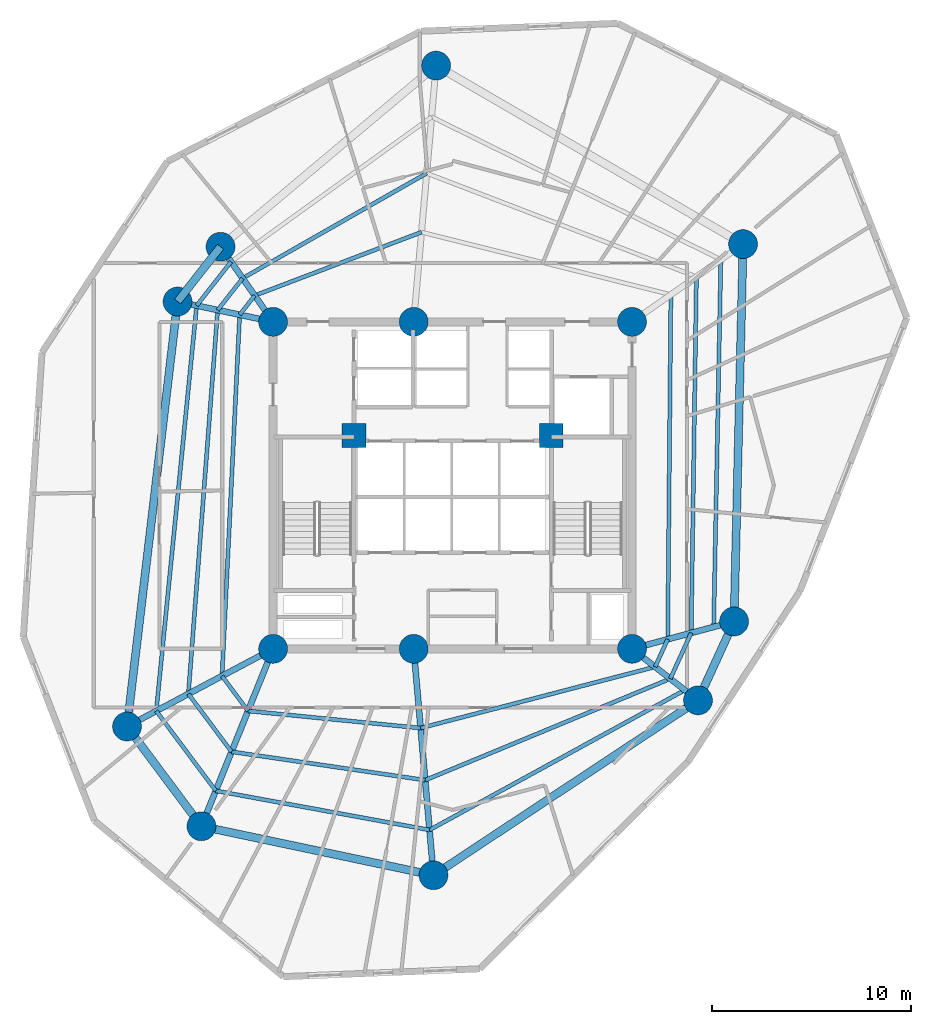
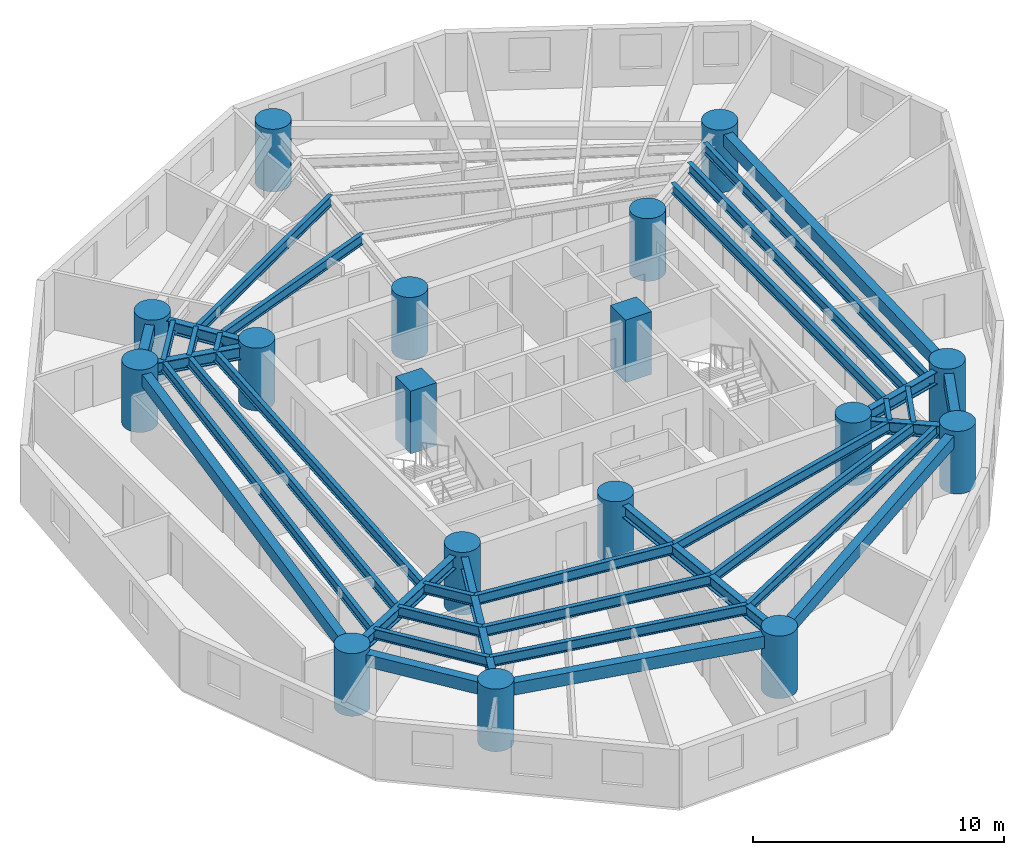
# One storey, part 1 of 8: 36 beams, 17 columns.
"""IFC4 building model written with IfcOpenShell, lengths in metres."""

import ifcopenshell
import ifcopenshell.guid

model = None  # the IFC model being written
_history = None  # IfcOwnerHistory: only IFC2X3 demands one
_inside = {}  # id of a spatial element -> (the spatial element, [elements in it])
_under = {}  # id of a project, library or spatial element -> (it, [spatial elements below it])
_declared = {}  # id of a project -> (the project, [libraries it declares])
_typed = {}  # id of a type object -> (the type object, [elements of that type])
_made_of = {}  # id of a material, layer set ... -> (it, [elements and type objects made of it])


def new_model(schema):
    """Start an empty IFC model of exactly this schema.

    Asked for "IFC4X3", IfcOpenShell would pick the latest addendum, in which some entities
    have other attributes; the version numbers below select the first issue.
    IFC2X3 requires an IfcOwnerHistory on every rooted entity: one is made here for all.
    """
    global model, _history
    if schema == "IFC4X3":
        model = ifcopenshell.file(schema_version=(4, 3, 0, 0))
    else:
        model = ifcopenshell.file(schema=schema)
    _inside.clear()
    _under.clear()
    _declared.clear()
    _typed.clear()
    _made_of.clear()
    _history = None
    if model.schema == "IFC2X3":
        org = make("IfcOrganization", Name="unknown")
        user = make(
            "IfcPersonAndOrganization",
            ThePerson=make("IfcPerson", FamilyName="unknown"),
            TheOrganization=org,
        )
        app = make(
            "IfcApplication",
            ApplicationDeveloper=org,
            Version="unknown",
            ApplicationFullName="unknown",
            ApplicationIdentifier="unknown",
        )
        _history = make(
            "IfcOwnerHistory",
            OwningUser=user,
            OwningApplication=app,
            ChangeAction="ADDED",
            CreationDate=0,
        )
    return model


def make(cls, **values):
    """One entity of the class cls with the attributes given. An attribute that is None is left unset."""
    return model.create_entity(
        cls, **{name: value for name, value in values.items() if value is not None}
    )


def rooted(cls, **values):
    """An entity with a GlobalId (a new one), such as an element, a storey or a relation."""
    return make(cls, GlobalId=ifcopenshell.guid.new(), OwnerHistory=_history, **values)


def si_unit(unit_type, name, prefix=None):
    """IfcSIUnit, for example si_unit("LENGTHUNIT", "METRE", prefix="MILLI")."""
    return make("IfcSIUnit", UnitType=unit_type, Prefix=prefix, Name=name)


def assignment(units):
    """IfcUnitAssignment: the units of a project."""
    return None if units is None else make("IfcUnitAssignment", Units=units)


def point(xyz):
    """IfcCartesianPoint."""
    return None if xyz is None else make("IfcCartesianPoint", Coordinates=xyz)


def direction(xyz):
    """IfcDirection."""
    return None if xyz is None else make("IfcDirection", DirectionRatios=xyz)


def frame(location, z_axis=None, x_axis=None):
    """IfcAxis2Placement3D, a coordinate frame: its origin and axes. An axis left out is left unset."""
    return make(
        "IfcAxis2Placement3D",
        Location=point(location),
        Axis=direction(z_axis),
        RefDirection=direction(x_axis),
    )


def frame_2d(location, x_axis=None):
    """IfcAxis2Placement2D, a coordinate frame in the plane: its origin and x axis."""
    return make(
        "IfcAxis2Placement2D", Location=point(location), RefDirection=direction(x_axis)
    )


def origin():
    """The frame at (0, 0, 0) with its axes left unset."""
    return frame((0.0, 0.0, 0.0))


def origin_with_axes():
    """The frame at (0, 0, 0) with the z axis (0, 0, 1) and the x axis (1, 0, 0) written out."""
    return frame((0.0, 0.0, 0.0), z_axis=(0.0, 0.0, 1.0), x_axis=(1.0, 0.0, 0.0))


def origin_2d():
    """The frame at (0, 0) in the plane with its x axis left unset."""
    return frame_2d((0.0, 0.0))


def place(relative_to, where):
    """IfcLocalPlacement: puts the frame where relative to a parent placement (None: the world)."""
    return make(
        "IfcLocalPlacement", PlacementRelTo=relative_to, RelativePlacement=where
    )


def context(
    kind, dimensions, precision=None, world=None, true_north=None, identifier=None
):
    """IfcGeometricRepresentationContext, for example the 3D "Model" context."""
    return make(
        "IfcGeometricRepresentationContext",
        ContextIdentifier=identifier,
        ContextType=kind,
        CoordinateSpaceDimension=dimensions,
        Precision=precision,
        WorldCoordinateSystem=world,
        TrueNorth=true_north,
    )


def subcontext(parent, identifier, kind, view, scale=None):
    """IfcGeometricRepresentationSubContext, for example "Body" below "Model"."""
    return make(
        "IfcGeometricRepresentationSubContext",
        ContextIdentifier=identifier,
        ContextType=kind,
        ParentContext=parent,
        TargetScale=scale,
        TargetView=view,
    )


def project(units=None, contexts=None):
    """IfcProject with its units and contexts."""
    return rooted(
        "IfcProject",
        Name="project",
        RepresentationContexts=contexts,
        UnitsInContext=assignment(units),
    )


def spatial(cls, under=None, at=None, **own):
    """A site, building, storey or space (cls), placed at a placement, below another one or the project."""
    s = rooted(cls, ObjectPlacement=at, **own)
    if under is not None:
        _under.setdefault(under.id(), (under, []))[1].append(s)
    return s


def profile(cls, at=None, kind="AREA", **sizes):
    """A parametric profile (cls). Its sizes go by their IFC names, for example OverallWidth=200.0."""
    return make(cls, ProfileType=kind, Position=at, **sizes)


def rectangle(**sizes):
    """IfcRectangleProfileDef."""
    return profile("IfcRectangleProfileDef", **sizes)


def circle(**sizes):
    """IfcCircleProfileDef."""
    return profile("IfcCircleProfileDef", **sizes)


def i_section(**sizes):
    """IfcIShapeProfileDef."""
    return profile("IfcIShapeProfileDef", **sizes)


def extrude(swept, where, along, depth):
    """IfcExtrudedAreaSolid: the profile swept, set in the frame where, extruded along a direction by depth."""
    return make(
        "IfcExtrudedAreaSolid",
        SweptArea=swept,
        Position=where,
        ExtrudedDirection=direction(along),
        Depth=depth,
    )


def shape(context_of_items, identifier, shape_type, items):
    """IfcShapeRepresentation: the items that make up one representation, for example the "Body"."""
    return make(
        "IfcShapeRepresentation",
        ContextOfItems=context_of_items,
        RepresentationIdentifier=identifier,
        RepresentationType=shape_type,
        Items=items,
    )


def source(mapping_origin, context_of_items, identifier, shape_type, items):
    """IfcRepresentationMap: a shape defined once, which mapped items show again and again."""
    return make(
        "IfcRepresentationMap",
        MappingOrigin=mapping_origin,
        MappedRepresentation=shape(context_of_items, identifier, shape_type, items),
    )


def transform(
    local_origin,
    x_axis=None,
    y_axis=None,
    z_axis=None,
    scale=None,
    scale2=None,
    scale3=None,
    uniform=True,
):
    """IfcCartesianTransformationOperator3D, or its non-uniform kind. x_axis, y_axis, z_axis: its Axis1, 2, 3."""
    if uniform:
        return make(
            "IfcCartesianTransformationOperator3D",
            Axis1=direction(x_axis),
            Axis2=direction(y_axis),
            LocalOrigin=point(local_origin),
            Scale=scale,
            Axis3=direction(z_axis),
        )
    return make(
        "IfcCartesianTransformationOperator3DnonUniform",
        Axis1=direction(x_axis),
        Axis2=direction(y_axis),
        LocalOrigin=point(local_origin),
        Scale=scale,
        Axis3=direction(z_axis),
        Scale2=scale2,
        Scale3=scale3,
    )


def mapped(mapping_source, mapping_target):
    """IfcMappedItem: shows the shape of a source again, moved by a transform."""
    return make(
        "IfcMappedItem", MappingSource=mapping_source, MappingTarget=mapping_target
    )


def material(Name=None, Category=None):
    """IfcMaterial."""
    return make("IfcMaterial", Name=Name, Category=Category)


def material_profile(
    of_material, cross_section, Name=None, Category=None, Priority=None
):
    """IfcMaterialProfile: a cross section and its material."""
    return make(
        "IfcMaterialProfile",
        Name=Name,
        Material=of_material,
        Profile=cross_section,
        Priority=Priority,
        Category=Category,
    )


def profile_set(profiles, Name=None, composite=None):
    """IfcMaterialProfileSet."""
    return make(
        "IfcMaterialProfileSet",
        Name=Name,
        MaterialProfiles=profiles,
        CompositeProfile=composite,
    )


def made_of(thing, what):
    """Note that an element or type object is made of a material, layer set ...; save() writes the relation."""
    if what is not None:
        _made_of.setdefault(what.id(), (what, []))[1].append(thing)
    return thing


def type_object(cls, material=None, **own):
    """A type object (cls), such as IfcWallType, which elements share."""
    return made_of(rooted(cls, **own), material)


def element(
    cls,
    number,
    at=None,
    inside=None,
    cuts=None,
    type_object=None,
    material=None,
    context=None,
    identifier="Body",
    shape_type=None,
    held_by="IfcProductDefinitionShape",
    body=None,
    shapes=None,
    **own,
):
    """One element of the class cls, such as IfcWall. Its Tag is "e" and its number.

    at: its placement. inside: the storey or other place that contains it. cuts: it is an
    opening in that element (IfcRelVoidsElement). A single representation is given by context,
    identifier, shape_type and body (its items); several are given by shapes. held_by: the class
    of the entity that holds the representations. save() writes the other relations.
    """
    e = rooted(cls, Tag="e%d" % number, ObjectPlacement=at, **own)
    if body is not None:
        shapes = [shape(context, identifier, shape_type, body)]
    if shapes is not None:
        e.Representation = make(held_by, Representations=shapes)
    if inside is not None:
        _inside.setdefault(inside.id(), (inside, []))[1].append(e)
    if cuts is not None:
        rooted(
            "IfcRelVoidsElement", RelatingBuildingElement=cuts, RelatedOpeningElement=e
        )
    if type_object is not None:
        _typed.setdefault(type_object.id(), (type_object, []))[1].append(e)
    return made_of(e, material)


def aggregate(whole, parts):
    """IfcRelAggregates: a whole, such as a stair, and the parts it consists of."""
    return rooted("IfcRelAggregates", RelatingObject=whole, RelatedObjects=parts)


def save(model, path):
    """Write the relations noted so far, then the file.

    IfcRelAggregates (storeys below a building ...), IfcRelContainedInSpatialStructure (elements
    in a storey), IfcRelDefinesByType, IfcRelAssociatesMaterial and IfcRelDeclares: one each for
    every whole, place, type object, material and project.
    """
    for whole, parts in _under.values():
        aggregate(whole, parts)
    for where, things in _inside.values():
        rooted(
            "IfcRelContainedInSpatialStructure",
            RelatedElements=things,
            RelatingStructure=where,
        )
    for kind, things in _typed.values():
        rooted("IfcRelDefinesByType", RelatedObjects=things, RelatingType=kind)
    for what, things in _made_of.values():
        rooted("IfcRelAssociatesMaterial", RelatedObjects=things, RelatingMaterial=what)
    for by, libraries in _declared.values():
        rooted("IfcRelDeclares", RelatingContext=by, RelatedDefinitions=libraries)
    model.write(path)


model = new_model("IFC4")

# Units and contexts
model_context = context("Model", 3, precision=1e-05, world=origin(), true_north=direction((0.0, 1.0)))
body_context = subcontext(model_context, "Body", "Model", "MODEL_VIEW")
ifc_project = project(units=[si_unit("LENGTHUNIT", "METRE"), si_unit("AREAUNIT", "SQUARE_METRE"), si_unit("VOLUMEUNIT", "CUBIC_METRE"), si_unit("PLANEANGLEUNIT", "RADIAN"), si_unit("MASSUNIT", "GRAM", prefix="KILO")], contexts=[model_context])

# Site, building, storey
site_placement = place(None, origin())
site = spatial("IfcSite", under=ifc_project, at=site_placement, CompositionType="ELEMENT")
building_placement = place(site_placement, origin())
building = spatial("IfcBuilding", under=site, at=building_placement, Name="Karkom Vertical University and Central Library", CompositionType="ELEMENT")
storey_placement = place(building_placement, frame((0.0, 0.0, 105.35009765625)))
storey = spatial("IfcBuildingStorey", under=building, at=storey_placement, Name="L28", CompositionType="ELEMENT", Elevation=105.35009765625)

# Columns
ifc_material_1 = material(Name="Concrete C50/60", Category="concrete")
ifc_material_profile_1 = material_profile(ifc_material_1, circle(Radius=0.72509765625, at=origin_2d()), Name="CFT-D1450")
ifc_profile_set_1 = profile_set([ifc_material_profile_1], Name="Concrete C50/60")
column_type_1 = type_object("IfcColumnType", Name="STR-COL-C-SC3", PredefinedType="COLUMN", material=ifc_profile_set_1)
shared_shape_1 = source(origin_with_axes(), body_context, "Body", "SweptSolid", [
    extrude(circle(Radius=0.72509765625, at=origin_2d()), origin(), (0.0, 0.0, 1.0), 3.0498046875),
])
for number, where, z_axis, x_axis, name in (
    (1, (19.5, 18.300048828125, 0.0), (0.0, 0.0, 1.0), (1.0, 0.0, 0.0), "Level 28 Spine Mega-Column SC-1"),
    (2, (26.550048828125, 18.300048828125, 0.0), (0.0, 0.0, 1.0), (1.0, 0.0, 0.0), "Level 28 Spine Mega-Column SC-2"),
    (3, (37.5, 18.300048828125, 0.0), (0.0, 0.0, 1.0), (1.0, 0.0, 0.0), "Level 28 Spine Mega-Column SC-3"),
    (4, (19.5, 34.699951171875, 0.0), (0.0, 0.0, 1.0), (1.0, 0.0, 0.0), "Level 28 Spine Mega-Column SC-4"),
    (5, (26.550048828125, 34.699951171875, 0.0), (0.0, 0.0, 1.0), (1.0, 0.0, 0.0), "Level 28 Spine Mega-Column SC-5"),
    (6, (37.5, 34.699951171875, 0.0), (0.0, 0.0, 1.0), (1.0, 0.0, 0.0), "Level 28 Spine Mega-Column SC-6"),
    (7, (42.618896484375, 19.672119140625, 0.0), (0.0, 0.0, 1.0), (1.0, 0.0, 0.0), "Level 28 Perimeter Mega-Column Z2-PC1"),
    (8, (43.070068359375, 38.60009765625, 0.0), (0.0, 0.0, 1.0), (1.0, 0.0, 0.0), "Level 28 Perimeter Mega-Column Z2-PC2"),
    (9, (27.674072265625, 47.551025390625, 0.0), (0.0, 0.0, 1.0), (1.0, 0.0, 0.0), "Level 28 Perimeter Mega-Column Z2-PC3"),
    (10, (16.862060546875, 38.468017578125, 0.0), (0.0, 0.0, 1.0), (1.0, 0.0, 0.0), "Level 28 Perimeter Mega-Column Z2-PC4"),
    (11, (14.70703125, 35.718994140625, 0.0), (0.0, 0.0, 1.0), (1.0, 0.0, 0.0), "Level 28 Perimeter Mega-Column Z2-PC5"),
    (12, (12.172119140625, 14.403076171875, 0.0), (0.0, 0.0, 1.0), (1.0, 0.0, 0.0), "Level 28 Perimeter Mega-Column Z2-PC6"),
    (13, (15.904052734375, 9.39892578125, 0.0), (0.0, 0.0, 1.0), (1.0, 0.0, 0.0), "Level 28 Perimeter Mega-Column Z2-PC7"),
    (14, (27.5439453125, 6.943115234375, 0.0), (0.0, 0.0, 1.0), (1.0, 0.0, 0.0), "Level 28 Perimeter Mega-Column Z2-PC8"),
    (15, (40.81005859375, 15.714111328125, 0.0), (0.0, 0.0, 1.0), (1.0, 0.0, 0.0), "Level 28 Perimeter Mega-Column Z2-PC9"),
):
    element("IfcColumn", number, at=place(storey_placement, frame(where, z_axis=z_axis, x_axis=x_axis)), inside=storey, type_object=column_type_1, Name=name, PredefinedType="COLUMN", context=body_context, shape_type="MappedRepresentation", body=[
        mapped(shared_shape_1, transform((0.0, 0.0, 0.0), scale=1.0)),
    ])
ifc_material_profile_2 = material_profile(ifc_material_1, rectangle(XDim=1.199951171875, YDim=1.199951171875, at=origin_2d()), Name="RC-1200x1200")
ifc_profile_set_2 = profile_set([ifc_material_profile_2], Name="Concrete C50/60")
column_type_2 = type_object("IfcColumnType", Name="STR-COL-C-CC1", PredefinedType="COLUMN", material=ifc_profile_set_2)
shared_shape_2 = source(origin_with_axes(), body_context, "Body", "SweptSolid", [
    extrude(rectangle(XDim=1.199951171875, YDim=1.199951171875, at=origin_2d()), origin(), (0.0, 0.0, 1.0), 3.0498046875),
])
for number, where, z_axis, x_axis, name in (
    (16, (23.550048828125, 29.0, 0.0), (0.0, 0.0, 1.0), (1.0, 0.0, 0.0), "Level 28 Core Node Column CC-1"),
    (17, (33.449951171875, 29.0, 0.0), (0.0, 0.0, 1.0), (1.0, 0.0, 0.0), "Level 28 Core Node Column CC-2"),
):
    element("IfcColumn", number, at=place(storey_placement, frame(where, z_axis=z_axis, x_axis=x_axis)), inside=storey, type_object=column_type_2, Name=name, PredefinedType="COLUMN", context=body_context, shape_type="MappedRepresentation", body=[
        mapped(shared_shape_2, transform((0.0, 0.0, 0.0), scale=1.0)),
    ])

# Beams
ifc_material_2 = material(Name="Precast concrete C45/55", Category="concrete")
ifc_material_profile_3 = material_profile(ifc_material_2, rectangle(XDim=0.39990234375, YDim=0.60009765625, at=origin_2d()), Name="SPB-400x600")
ifc_profile_set_3 = profile_set([ifc_material_profile_3], Name="Precast concrete C45/55")
beam_type_1 = type_object("IfcBeamType", Name="STR-BM-SP-1", PredefinedType="SPANDREL", material=ifc_profile_set_3)
shared_shape_3 = source(origin_with_axes(), body_context, "Body", "SweptSolid", [
    extrude(rectangle(XDim=0.39990234375, YDim=0.60009765625, at=origin_2d()), origin(), (0.0, 0.0, 1.0), 18.933349609375),
])
beam_1_placement = place(storey_placement, frame((42.618896484375, 19.672119140625, 2.52490234375), z_axis=(0.02382947333, 0.999716037783, 0.0), x_axis=(-0.999716037783, 0.02382947333, 0.0)))
element("IfcBeam", 18, at=beam_1_placement, inside=storey, type_object=beam_type_1, Name="Level 28 Perimeter Spandrel Beam 01", PredefinedType="SPANDREL", context=body_context, shape_type="MappedRepresentation", body=[
    mapped(shared_shape_3, transform((0.0, 0.0, 0.0), scale=1.0)),
])
shared_shape_4 = source(origin_with_axes(), body_context, "Body", "SweptSolid", [
    extrude(rectangle(XDim=0.39990234375, YDim=0.60009765625, at=origin_2d()), origin(), (0.0, 0.0, 1.0), 3.492919921875),
])
beam_2_placement = place(storey_placement, frame((16.862060546875, 38.468017578125, 2.52490234375), z_axis=(-0.616950700538, -0.787001799938, 0.0), x_axis=(0.787001799938, -0.616950700538, 0.0)))
element("IfcBeam", 19, at=beam_2_placement, inside=storey, type_object=beam_type_1, Name="Level 28 Perimeter Spandrel Beam 04", PredefinedType="SPANDREL", context=body_context, shape_type="MappedRepresentation", body=[
    mapped(shared_shape_4, transform((0.0, 0.0, 0.0), scale=1.0)),
])
shared_shape_5 = source(origin_with_axes(), body_context, "Body", "SweptSolid", [
    extrude(rectangle(XDim=0.39990234375, YDim=0.60009765625, at=origin_2d()), origin(), (0.0, 0.0, 1.0), 21.466064453125),
])
beam_3_placement = place(storey_placement, frame((14.70703125, 35.718994140625, 2.52490234375), z_axis=(-0.118088996795, -0.993003015522, 0.0), x_axis=(0.993003015522, -0.118088996795, 0.0)))
element("IfcBeam", 20, at=beam_3_placement, inside=storey, type_object=beam_type_1, Name="Level 28 Perimeter Spandrel Beam 05", PredefinedType="SPANDREL", context=body_context, shape_type="MappedRepresentation", body=[
    mapped(shared_shape_5, transform((0.0, 0.0, 0.0), scale=1.0)),
])
shared_shape_6 = source(origin_with_axes(), body_context, "Body", "SweptSolid", [
    extrude(rectangle(XDim=0.39990234375, YDim=0.60009765625, at=origin_2d()), origin(), (0.0, 0.0, 1.0), 6.242431640625),
])
beam_4_placement = place(storey_placement, frame((12.172119140625, 14.403076171875, 2.52490234375), z_axis=(0.59782643552, -0.801625569074, 0.0), x_axis=(0.801625569074, 0.59782643552, 0.0)))
element("IfcBeam", 21, at=beam_4_placement, inside=storey, type_object=beam_type_1, Name="Level 28 Perimeter Spandrel Beam 06", PredefinedType="SPANDREL", context=body_context, shape_type="MappedRepresentation", body=[
    mapped(shared_shape_6, transform((0.0, 0.0, 0.0), scale=1.0)),
])
shared_shape_7 = source(origin_with_axes(), body_context, "Body", "SweptSolid", [
    extrude(rectangle(XDim=0.39990234375, YDim=0.60009765625, at=origin_2d()), origin(), (0.0, 0.0, 1.0), 11.896240234375),
])
beam_5_placement = place(storey_placement, frame((15.904052734375, 9.39892578125, 2.52490234375), z_axis=(0.978459762135, -0.206437627101, 0.0), x_axis=(0.206437627101, 0.978459762135, 0.0)))
element("IfcBeam", 22, at=beam_5_placement, inside=storey, type_object=beam_type_1, Name="Level 28 Perimeter Spandrel Beam 07", PredefinedType="SPANDREL", context=body_context, shape_type="MappedRepresentation", body=[
    mapped(shared_shape_7, transform((0.0, 0.0, 0.0), scale=1.0)),
])
shared_shape_8 = source(origin_with_axes(), body_context, "Body", "SweptSolid", [
    extrude(rectangle(XDim=0.39990234375, YDim=0.60009765625, at=origin_2d()), origin(), (0.0, 0.0, 1.0), 15.903564453125),
])
beam_6_placement = place(storey_placement, frame((27.5439453125, 6.943115234375, 2.52490234375), z_axis=(0.834165069331, 0.551514856652, 0.0), x_axis=(-0.551514856652, 0.834165069331, 0.0)))
element("IfcBeam", 23, at=beam_6_placement, inside=storey, type_object=beam_type_1, Name="Level 28 Perimeter Spandrel Beam 08", PredefinedType="SPANDREL", context=body_context, shape_type="MappedRepresentation", body=[
    mapped(shared_shape_8, transform((0.0, 0.0, 0.0), scale=1.0)),
])
shared_shape_9 = source(origin_with_axes(), body_context, "Body", "SweptSolid", [
    extrude(rectangle(XDim=0.39990234375, YDim=0.60009765625, at=origin_2d()), origin(), (0.0, 0.0, 1.0), 4.351806640625),
])
beam_7_placement = place(storey_placement, frame((40.81005859375, 15.714111328125, 2.52490234375), z_axis=(0.415657668422, 0.909521139217, 0.0), x_axis=(-0.909521139217, 0.415657668422, 0.0)))
element("IfcBeam", 24, at=beam_7_placement, inside=storey, type_object=beam_type_1, Name="Level 28 Perimeter Spandrel Beam 09", PredefinedType="SPANDREL", context=body_context, shape_type="MappedRepresentation", body=[
    mapped(shared_shape_9, transform((0.0, 0.0, 0.0), scale=1.0)),
])
ifc_material_3 = material(Name="Steel S355", Category="steel")
ifc_material_profile_4 = material_profile(ifc_material_3, i_section(OverallWidth=0.199951171875, OverallDepth=0.5, WebThickness=0.01025390625, FlangeThickness=0.01611328125, FilletRadius=0.02099609375, at=origin_2d()), Name="IPE 500")
ifc_profile_set_4 = profile_set([ifc_material_profile_4], Name="Steel S355")
beam_type_2 = type_object("IfcBeamType", Name="STR-BM-SB-IPE500", PredefinedType="BEAM", material=ifc_profile_set_4)
shared_shape_10 = source(origin_with_axes(), body_context, "Body", "SweptSolid", [
    extrude(i_section(OverallWidth=0.199951171875, OverallDepth=0.5, WebThickness=0.01025390625, FlangeThickness=0.01611328125, FilletRadius=0.02099609375, at=origin_2d()), origin(), (0.0, 0.0, 1.0), 17.285400390625),
])
beam_8_placement = place(storey_placement, frame((39.29150390625, 18.7802734375, 2.574951171875), z_axis=(0.009138294648, 0.999958244914, 0.0), x_axis=(-0.999958244914, 0.009138294648, 0.0)))
element("IfcBeam", 25, at=beam_8_placement, inside=storey, type_object=beam_type_2, Name="Level 28 Secondary Composite Floor Beam 1.01", PredefinedType="BEAM", context=body_context, shape_type="MappedRepresentation", body=[
    mapped(shared_shape_10, transform((0.0, 0.0, 0.0), scale=1.0)),
])
shared_shape_11 = source(origin_with_axes(), body_context, "Body", "SweptSolid", [
    extrude(i_section(OverallWidth=0.199951171875, OverallDepth=0.5, WebThickness=0.01025390625, FlangeThickness=0.01611328125, FilletRadius=0.02099609375, at=origin_2d()), origin(), (0.0, 0.0, 1.0), 8.950439453125),
])
beam_9_placement = place(storey_placement, frame((26.943359375, 39.197998046875, 2.574951171875), z_axis=(-0.93478901494, -0.355203459368, 0.0), x_axis=(0.355203459368, -0.93478901494, 0.0)))
element("IfcBeam", 26, at=beam_9_placement, inside=storey, type_object=beam_type_2, Name="Level 28 Secondary Composite Floor Beam 1.03", PredefinedType="BEAM", context=body_context, shape_type="MappedRepresentation", body=[
    mapped(shared_shape_11, transform((0.0, 0.0, 0.0), scale=1.0)),
])
shared_shape_12 = source(origin_with_axes(), body_context, "Body", "SweptSolid", [
    extrude(i_section(OverallWidth=0.199951171875, OverallDepth=0.5, WebThickness=0.01025390625, FlangeThickness=0.01611328125, FilletRadius=0.02099609375, at=origin_2d()), origin(), (0.0, 0.0, 1.0), 1.222412109375),
])
beam_10_placement = place(storey_placement, frame((18.57666015625, 36.018798828125, 2.574951171875), z_axis=(-0.616895037184, -0.787045432677, 0.0), x_axis=(0.787045432677, -0.616895037184, 0.0)))
element("IfcBeam", 27, at=beam_10_placement, inside=storey, type_object=beam_type_2, Name="Level 28 Secondary Composite Floor Beam 1.04", PredefinedType="BEAM", context=body_context, shape_type="MappedRepresentation", body=[
    mapped(shared_shape_12, transform((0.0, 0.0, 0.0), scale=1.0)),
])
shared_shape_13 = source(origin_with_axes(), body_context, "Body", "SweptSolid", [
    extrude(i_section(OverallWidth=0.199951171875, OverallDepth=0.5, WebThickness=0.01025390625, FlangeThickness=0.01611328125, FilletRadius=0.02099609375, at=origin_2d()), origin(), (0.0, 0.0, 1.0), 18.142333984375),
])
beam_11_placement = place(storey_placement, frame((17.822509765625, 35.056640625, 2.574951171875), z_axis=(-0.048902644774, -0.998803549921, 0.0), x_axis=(0.998803549921, -0.048902644774, 0.0)))
element("IfcBeam", 28, at=beam_11_placement, inside=storey, type_object=beam_type_2, Name="Level 28 Secondary Composite Floor Beam 1.05", PredefinedType="BEAM", context=body_context, shape_type="MappedRepresentation", body=[
    mapped(shared_shape_13, transform((0.0, 0.0, 0.0), scale=1.0)),
])
shared_shape_14 = source(origin_with_axes(), body_context, "Body", "SweptSolid", [
    extrude(i_section(OverallWidth=0.199951171875, OverallDepth=0.5, WebThickness=0.01025390625, FlangeThickness=0.01611328125, FilletRadius=0.02099609375, at=origin_2d()), origin(), (0.0, 0.0, 1.0), 2.1845703125),
])
beam_12_placement = place(storey_placement, frame((16.935302734375, 16.93603515625, 2.574951171875), z_axis=(0.597870130664, -0.801592980795, 0.0), x_axis=(0.801592980795, 0.597870130664, 0.0)))
element("IfcBeam", 29, at=beam_12_placement, inside=storey, type_object=beam_type_2, Name="Level 28 Secondary Composite Floor Beam 1.06", PredefinedType="BEAM", context=body_context, shape_type="MappedRepresentation", body=[
    mapped(shared_shape_14, transform((0.0, 0.0, 0.0), scale=1.0)),
])
shared_shape_15 = source(origin_with_axes(), body_context, "Body", "SweptSolid", [
    extrude(i_section(OverallWidth=0.199951171875, OverallDepth=0.5, WebThickness=0.01025390625, FlangeThickness=0.01611328125, FilletRadius=0.02099609375, at=origin_2d()), origin(), (0.0, 0.0, 1.0), 8.698974609375),
])
beam_13_placement = place(storey_placement, frame((18.241455078125, 15.184814453125, 2.574951171875), z_axis=(0.995105588045, -0.098817349903, 0.0), x_axis=(0.098817349903, 0.995105588045, 0.0)))
element("IfcBeam", 30, at=beam_13_placement, inside=storey, type_object=beam_type_2, Name="Level 28 Secondary Composite Floor Beam 1.07", PredefinedType="BEAM", context=body_context, shape_type="MappedRepresentation", body=[
    mapped(shared_shape_15, transform((0.0, 0.0, 0.0), scale=1.0)),
])
shared_shape_16 = source(origin_with_axes(), body_context, "Body", "SweptSolid", [
    extrude(i_section(OverallWidth=0.199951171875, OverallDepth=0.5, WebThickness=0.01025390625, FlangeThickness=0.01611328125, FilletRadius=0.02099609375, at=origin_2d()), origin(), (0.0, 0.0, 1.0), 12.154541015625),
])
beam_14_placement = place(storey_placement, frame((26.89794921875, 14.3251953125, 2.574951171875), z_axis=(0.967579719768, 0.252565805077, 0.0), x_axis=(-0.252565805077, 0.967579719768, 0.0)))
element("IfcBeam", 31, at=beam_14_placement, inside=storey, type_object=beam_type_2, Name="Level 28 Secondary Composite Floor Beam 1.08", PredefinedType="BEAM", context=body_context, shape_type="MappedRepresentation", body=[
    mapped(shared_shape_16, transform((0.0, 0.0, 0.0), scale=1.0)),
])
shared_shape_17 = source(origin_with_axes(), body_context, "Body", "SweptSolid", [
    extrude(i_section(OverallWidth=0.199951171875, OverallDepth=0.5, WebThickness=0.01025390625, FlangeThickness=0.01611328125, FilletRadius=0.02099609375, at=origin_2d()), origin(), (0.0, 0.0, 1.0), 1.52294921875),
])
beam_15_placement = place(storey_placement, frame((38.658447265625, 17.39501953125, 2.574951171875), z_axis=(0.415649898107, 0.909524690266, 0.0), x_axis=(-0.909524690266, 0.415649898107, 0.0)))
element("IfcBeam", 32, at=beam_15_placement, inside=storey, type_object=beam_type_2, Name="Level 28 Secondary Composite Floor Beam 1.09", PredefinedType="BEAM", context=body_context, shape_type="MappedRepresentation", body=[
    mapped(shared_shape_17, transform((0.0, 0.0, 0.0), scale=1.0)),
])
shared_shape_18 = source(origin_with_axes(), body_context, "Body", "SweptSolid", [
    extrude(i_section(OverallWidth=0.199951171875, OverallDepth=0.5, WebThickness=0.01025390625, FlangeThickness=0.01611328125, FilletRadius=0.02099609375, at=origin_2d()), origin(), (0.0, 0.0, 1.0), 17.8681640625),
])
beam_16_placement = place(storey_placement, frame((40.468994140625, 19.095703125, 2.574951171875), z_axis=(0.014647239676, 0.999892723431, 0.0), x_axis=(-0.999892723431, 0.014647239676, 0.0)))
element("IfcBeam", 33, at=beam_16_placement, inside=storey, type_object=beam_type_2, Name="Level 28 Secondary Composite Floor Beam 2.01", PredefinedType="BEAM", context=body_context, shape_type="MappedRepresentation", body=[
    mapped(shared_shape_18, transform((0.0, 0.0, 0.0), scale=1.0)),
])
shared_shape_19 = source(origin_with_axes(), body_context, "Body", "SweptSolid", [
    extrude(i_section(OverallWidth=0.199951171875, OverallDepth=0.5, WebThickness=0.01025390625, FlangeThickness=0.01611328125, FilletRadius=0.02099609375, at=origin_2d()), origin(), (0.0, 0.0, 1.0), 10.629150390625),
])
beam_17_placement = place(storey_placement, frame((27.201904296875, 42.153564453125, 2.574951171875), z_axis=(-0.868539813491, -0.495619402748, 0.0), x_axis=(0.495619402748, -0.868539813491, 0.0)))
element("IfcBeam", 34, at=beam_17_placement, inside=storey, type_object=beam_type_2, Name="Level 28 Secondary Composite Floor Beam 2.03", PredefinedType="BEAM", context=body_context, shape_type="MappedRepresentation", body=[
    mapped(shared_shape_19, transform((0.0, 0.0, 0.0), scale=1.0)),
])
shared_shape_20 = source(origin_with_axes(), body_context, "Body", "SweptSolid", [
    extrude(i_section(OverallWidth=0.199951171875, OverallDepth=0.5, WebThickness=0.01025390625, FlangeThickness=0.01611328125, FilletRadius=0.02099609375, at=origin_2d()), origin(), (0.0, 0.0, 1.0), 2.02587890625),
])
beam_18_placement = place(storey_placement, frame((17.969970703125, 36.885498046875, 2.574951171875), z_axis=(-0.616889733535, -0.787049589708, 0.0), x_axis=(0.787049589708, -0.616889733535, 0.0)))
element("IfcBeam", 35, at=beam_18_placement, inside=storey, type_object=beam_type_2, Name="Level 28 Secondary Composite Floor Beam 2.04", PredefinedType="BEAM", context=body_context, shape_type="MappedRepresentation", body=[
    mapped(shared_shape_20, transform((0.0, 0.0, 0.0), scale=1.0)),
])
shared_shape_21 = source(origin_with_axes(), body_context, "Body", "SweptSolid", [
    extrude(i_section(OverallWidth=0.199951171875, OverallDepth=0.5, WebThickness=0.01025390625, FlangeThickness=0.01611328125, FilletRadius=0.02099609375, at=origin_2d()), origin(), (0.0, 0.0, 1.0), 19.307373046875),
])
beam_19_placement = place(storey_placement, frame((16.72021484375, 35.291015625, 2.574951171875), z_axis=(-0.07616078645, -0.997095549387, 0.0), x_axis=(0.997095549387, -0.07616078645, 0.0)))
element("IfcBeam", 36, at=beam_19_placement, inside=storey, type_object=beam_type_2, Name="Level 28 Secondary Composite Floor Beam 2.05", PredefinedType="BEAM", context=body_context, shape_type="MappedRepresentation", body=[
    mapped(shared_shape_21, transform((0.0, 0.0, 0.0), scale=1.0)),
])
shared_shape_22 = source(origin_with_axes(), body_context, "Body", "SweptSolid", [
    extrude(i_section(OverallWidth=0.199951171875, OverallDepth=0.5, WebThickness=0.01025390625, FlangeThickness=0.01611328125, FilletRadius=0.02099609375, at=origin_2d()), origin(), (0.0, 0.0, 1.0), 3.62060546875),
])
beam_20_placement = place(storey_placement, frame((15.249755859375, 16.039794921875, 2.574951171875), z_axis=(0.59784003707, -0.801615425298, 0.0), x_axis=(0.801615425298, 0.59784003707, 0.0)))
element("IfcBeam", 37, at=beam_20_placement, inside=storey, type_object=beam_type_2, Name="Level 28 Secondary Composite Floor Beam 2.06", PredefinedType="BEAM", context=body_context, shape_type="MappedRepresentation", body=[
    mapped(shared_shape_22, transform((0.0, 0.0, 0.0), scale=1.0)),
])
shared_shape_23 = source(origin_with_axes(), body_context, "Body", "SweptSolid", [
    extrude(i_section(OverallWidth=0.199951171875, OverallDepth=0.5, WebThickness=0.01025390625, FlangeThickness=0.01611328125, FilletRadius=0.02099609375, at=origin_2d()), origin(), (0.0, 0.0, 1.0), 9.816162109375),
])
beam_21_placement = place(storey_placement, frame((17.414306640625, 13.137451171875, 2.574951171875), z_axis=(0.989413295367, -0.145125225069, 0.0), x_axis=(0.145125225069, 0.989413295367, 0.0)))
element("IfcBeam", 38, at=beam_21_placement, inside=storey, type_object=beam_type_2, Name="Level 28 Secondary Composite Floor Beam 2.07", PredefinedType="BEAM", context=body_context, shape_type="MappedRepresentation", body=[
    mapped(shared_shape_23, transform((0.0, 0.0, 0.0), scale=1.0)),
])
shared_shape_24 = source(origin_with_axes(), body_context, "Body", "SweptSolid", [
    extrude(i_section(OverallWidth=0.199951171875, OverallDepth=0.5, WebThickness=0.01025390625, FlangeThickness=0.01611328125, FilletRadius=0.02099609375, at=origin_2d()), origin(), (0.0, 0.0, 1.0), 13.304443359375),
])
beam_22_placement = place(storey_placement, frame((27.12646484375, 11.712890625, 2.574951171875), z_axis=(0.924011243398, 0.382365299255, 0.0), x_axis=(-0.382365299255, 0.924011243398, 0.0)))
element("IfcBeam", 39, at=beam_22_placement, inside=storey, type_object=beam_type_2, Name="Level 28 Secondary Composite Floor Beam 2.08", PredefinedType="BEAM", context=body_context, shape_type="MappedRepresentation", body=[
    mapped(shared_shape_24, transform((0.0, 0.0, 0.0), scale=1.0)),
])
shared_shape_25 = source(origin_with_axes(), body_context, "Body", "SweptSolid", [
    extrude(i_section(OverallWidth=0.199951171875, OverallDepth=0.5, WebThickness=0.01025390625, FlangeThickness=0.01611328125, FilletRadius=0.02099609375, at=origin_2d()), origin(), (0.0, 0.0, 1.0), 2.52392578125),
])
beam_23_placement = place(storey_placement, frame((39.419921875, 16.800048828125, 2.574951171875), z_axis=(0.415638602127, 0.909529852408, 0.0), x_axis=(-0.909529852408, 0.415638602127, 0.0)))
element("IfcBeam", 40, at=beam_23_placement, inside=storey, type_object=beam_type_2, Name="Level 28 Secondary Composite Floor Beam 2.09", PredefinedType="BEAM", context=body_context, shape_type="MappedRepresentation", body=[
    mapped(shared_shape_25, transform((0.0, 0.0, 0.0), scale=1.0)),
])
shared_shape_26 = source(origin_with_axes(), body_context, "Body", "SweptSolid", [
    extrude(i_section(OverallWidth=0.199951171875, OverallDepth=0.5, WebThickness=0.01025390625, FlangeThickness=0.01611328125, FilletRadius=0.02099609375, at=origin_2d()), origin(), (0.0, 0.0, 1.0), 18.42578125),
])
beam_24_placement = place(storey_placement, frame((41.59521484375, 19.397705078125, 2.574951171875), z_axis=(0.019583298818, 0.999808228816, 0.0), x_axis=(-0.999808228816, 0.019583298818, 0.0)))
element("IfcBeam", 41, at=beam_24_placement, inside=storey, type_object=beam_type_2, Name="Level 28 Secondary Composite Floor Beam 3.01", PredefinedType="BEAM", context=body_context, shape_type="MappedRepresentation", body=[
    mapped(shared_shape_26, transform((0.0, 0.0, 0.0), scale=1.0)),
])
shared_shape_27 = source(origin_with_axes(), body_context, "Body", "SweptSolid", [
    extrude(i_section(OverallWidth=0.199951171875, OverallDepth=0.5, WebThickness=0.01025390625, FlangeThickness=0.01611328125, FilletRadius=0.02099609375, at=origin_2d()), origin(), (0.0, 0.0, 1.0), 2.79443359375),
])
beam_25_placement = place(storey_placement, frame((17.3896484375, 37.71435546875, 2.574951171875), z_axis=(-0.616972344898, -0.786984831894, 0.0), x_axis=(0.786984831894, -0.616972344898, 0.0)))
element("IfcBeam", 42, at=beam_25_placement, inside=storey, type_object=beam_type_2, Name="Level 28 Secondary Composite Floor Beam 3.04", PredefinedType="BEAM", context=body_context, shape_type="MappedRepresentation", body=[
    mapped(shared_shape_27, transform((0.0, 0.0, 0.0), scale=1.0)),
])
shared_shape_28 = source(origin_with_axes(), body_context, "Body", "SweptSolid", [
    extrude(i_section(OverallWidth=0.199951171875, OverallDepth=0.5, WebThickness=0.01025390625, FlangeThickness=0.01611328125, FilletRadius=0.02099609375, at=origin_2d()), origin(), (0.0, 0.0, 1.0), 20.43359375),
])
beam_26_placement = place(storey_placement, frame((15.66552734375, 35.51513671875, 2.574951171875), z_axis=(-0.099239913611, -0.995063535432, 0.0), x_axis=(0.995063535432, -0.099239913611, 0.0)))
element("IfcBeam", 43, at=beam_26_placement, inside=storey, type_object=beam_type_2, Name="Level 28 Secondary Composite Floor Beam 3.05", PredefinedType="BEAM", context=body_context, shape_type="MappedRepresentation", body=[
    mapped(shared_shape_28, transform((0.0, 0.0, 0.0), scale=1.0)),
])
shared_shape_29 = source(origin_with_axes(), body_context, "Body", "SweptSolid", [
    extrude(i_section(OverallWidth=0.199951171875, OverallDepth=0.5, WebThickness=0.01025390625, FlangeThickness=0.01611328125, FilletRadius=0.02099609375, at=origin_2d()), origin(), (0.0, 0.0, 1.0), 4.993896484375),
])
beam_27_placement = place(storey_placement, frame((13.6376953125, 15.182373046875, 2.574951171875), z_axis=(0.597846775537, -0.801610399745, 0.0), x_axis=(0.801610399745, 0.597846775537, 0.0)))
element("IfcBeam", 44, at=beam_27_placement, inside=storey, type_object=beam_type_2, Name="Level 28 Secondary Composite Floor Beam 3.06", PredefinedType="BEAM", context=body_context, shape_type="MappedRepresentation", body=[
    mapped(shared_shape_29, transform((0.0, 0.0, 0.0), scale=1.0)),
])
shared_shape_30 = source(origin_with_axes(), body_context, "Body", "SweptSolid", [
    extrude(i_section(OverallWidth=0.199951171875, OverallDepth=0.5, WebThickness=0.01025390625, FlangeThickness=0.01611328125, FilletRadius=0.02099609375, at=origin_2d()), origin(), (0.0, 0.0, 1.0), 10.900390625),
])
beam_28_placement = place(storey_placement, frame((16.623291015625, 11.17919921875, 2.574951171875), z_axis=(0.98362026014, -0.180253110495, 0.0), x_axis=(0.180253110495, 0.98362026014, 0.0)))
element("IfcBeam", 45, at=beam_28_placement, inside=storey, type_object=beam_type_2, Name="Level 28 Secondary Composite Floor Beam 3.07", PredefinedType="BEAM", context=body_context, shape_type="MappedRepresentation", body=[
    mapped(shared_shape_30, transform((0.0, 0.0, 0.0), scale=1.0)),
])
shared_shape_31 = source(origin_with_axes(), body_context, "Body", "SweptSolid", [
    extrude(i_section(OverallWidth=0.199951171875, OverallDepth=0.5, WebThickness=0.01025390625, FlangeThickness=0.01611328125, FilletRadius=0.02099609375, at=origin_2d()), origin(), (0.0, 0.0, 1.0), 14.599609375),
])
beam_29_placement = place(storey_placement, frame((27.34521484375, 9.21435546875, 2.574951171875), z_axis=(0.876928143127, 0.480621505752, 0.0), x_axis=(-0.480621505752, 0.876928143127, 0.0)))
element("IfcBeam", 46, at=beam_29_placement, inside=storey, type_object=beam_type_2, Name="Level 28 Secondary Composite Floor Beam 3.08", PredefinedType="BEAM", context=body_context, shape_type="MappedRepresentation", body=[
    mapped(shared_shape_31, transform((0.0, 0.0, 0.0), scale=1.0)),
])
ifc_material_profile_5 = material_profile(ifc_material_3, i_section(OverallWidth=0.300048828125, OverallDepth=0.60009765625, WebThickness=0.015380859375, FlangeThickness=0.030029296875, FilletRadius=0.027099609375, at=origin_2d()), Name="HE 600 B")
ifc_profile_set_5 = profile_set([ifc_material_profile_5], Name="Steel S355")
beam_type_3 = type_object("IfcBeamType", Name="STR-BM-SB-HE600", PredefinedType="USERDEFINED", material=ifc_profile_set_5)
shared_shape_32 = source(origin_with_axes(), body_context, "Body", "SweptSolid", [
    extrude(i_section(OverallWidth=0.300048828125, OverallDepth=0.60009765625, WebThickness=0.015380859375, FlangeThickness=0.030029296875, FilletRadius=0.027099609375, at=origin_2d()), origin(), (0.0, 0.0, 1.0), 5.299560546875),
])
beam_30_placement = place(storey_placement, frame((37.5, 18.300048828125, 2.52490234375), z_axis=(0.965903833688, 0.258901108663, 0.0), x_axis=(-0.258901108663, 0.965903833688, 0.0)))
element("IfcBeam", 47, at=beam_30_placement, inside=storey, type_object=beam_type_3, Name="Level 28 Radial Frame Girder 01", ObjectType="GIRDER", PredefinedType="USERDEFINED", context=body_context, shape_type="MappedRepresentation", body=[
    mapped(shared_shape_32, transform((0.0, 0.0, 0.0), scale=1.0)),
])
shared_shape_33 = source(origin_with_axes(), body_context, "Body", "SweptSolid", [
    extrude(i_section(OverallWidth=0.300048828125, OverallDepth=0.60009765625, WebThickness=0.015380859375, FlangeThickness=0.030029296875, FilletRadius=0.027099609375, at=origin_2d()), origin(), (0.0, 0.0, 1.0), 4.599609375),
])
beam_31_placement = place(storey_placement, frame((19.5, 34.699951171875, 2.52490234375), z_axis=(-0.573505090764, 0.819201996377, 0.0), x_axis=(-0.819201996377, -0.573505090764, 0.0)))
element("IfcBeam", 48, at=beam_31_placement, inside=storey, type_object=beam_type_3, Name="Level 28 Radial Frame Girder 04", ObjectType="GIRDER", PredefinedType="USERDEFINED", context=body_context, shape_type="MappedRepresentation", body=[
    mapped(shared_shape_33, transform((0.0, 0.0, 0.0), scale=1.0)),
])
shared_shape_34 = source(origin_with_axes(), body_context, "Body", "SweptSolid", [
    extrude(i_section(OverallWidth=0.300048828125, OverallDepth=0.60009765625, WebThickness=0.015380859375, FlangeThickness=0.030029296875, FilletRadius=0.027099609375, at=origin_2d()), origin(), (0.0, 0.0, 1.0), 4.900146484375),
])
beam_32_placement = place(storey_placement, frame((19.5, 34.699951171875, 2.52490234375), z_axis=(-0.978136559131, 0.207963630695, 0.0), x_axis=(-0.207963630695, -0.978136559131, 0.0)))
element("IfcBeam", 49, at=beam_32_placement, inside=storey, type_object=beam_type_3, Name="Level 28 Radial Frame Girder 05", ObjectType="GIRDER", PredefinedType="USERDEFINED", context=body_context, shape_type="MappedRepresentation", body=[
    mapped(shared_shape_34, transform((0.0, 0.0, 0.0), scale=1.0)),
])
shared_shape_35 = source(origin_with_axes(), body_context, "Body", "SweptSolid", [
    extrude(i_section(OverallWidth=0.300048828125, OverallDepth=0.60009765625, WebThickness=0.015380859375, FlangeThickness=0.030029296875, FilletRadius=0.027099609375, at=origin_2d()), origin(), (0.0, 0.0, 1.0), 8.299560546875),
])
beam_33_placement = place(storey_placement, frame((19.5, 18.300048828125, 2.52490234375), z_axis=(-0.882914163564, -0.469534428746, 0.0), x_axis=(0.469534428746, -0.882914163564, 0.0)))
element("IfcBeam", 50, at=beam_33_placement, inside=storey, type_object=beam_type_3, Name="Level 28 Radial Frame Girder 06", ObjectType="GIRDER", PredefinedType="USERDEFINED", context=body_context, shape_type="MappedRepresentation", body=[
    mapped(shared_shape_35, transform((0.0, 0.0, 0.0), scale=1.0)),
])
shared_shape_36 = source(origin_with_axes(), body_context, "Body", "SweptSolid", [
    extrude(i_section(OverallWidth=0.300048828125, OverallDepth=0.60009765625, WebThickness=0.015380859375, FlangeThickness=0.030029296875, FilletRadius=0.027099609375, at=origin_2d()), origin(), (0.0, 0.0, 1.0), 9.60009765625),
])
beam_34_placement = place(storey_placement, frame((19.5, 18.300048828125, 2.52490234375), z_axis=(-0.374576157034, -0.927196151082, 0.0), x_axis=(0.927196151082, -0.374576157034, 0.0)))
element("IfcBeam", 51, at=beam_34_placement, inside=storey, type_object=beam_type_3, Name="Level 28 Radial Frame Girder 07", ObjectType="GIRDER", PredefinedType="USERDEFINED", context=body_context, shape_type="MappedRepresentation", body=[
    mapped(shared_shape_36, transform((0.0, 0.0, 0.0), scale=1.0)),
])
shared_shape_37 = source(origin_with_axes(), body_context, "Body", "SweptSolid", [
    extrude(i_section(OverallWidth=0.300048828125, OverallDepth=0.60009765625, WebThickness=0.015380859375, FlangeThickness=0.030029296875, FilletRadius=0.027099609375, at=origin_2d()), origin(), (0.0, 0.0, 1.0), 11.400390625),
])
beam_35_placement = place(storey_placement, frame((26.550048828125, 18.300048828125, 2.52490234375), z_axis=(0.087181295702, -0.996192462168, 0.0), x_axis=(0.996192462168, 0.087181295702, 0.0)))
element("IfcBeam", 52, at=beam_35_placement, inside=storey, type_object=beam_type_3, Name="Level 28 Radial Frame Girder 08", ObjectType="GIRDER", PredefinedType="USERDEFINED", context=body_context, shape_type="MappedRepresentation", body=[
    mapped(shared_shape_37, transform((0.0, 0.0, 0.0), scale=1.0)),
])
shared_shape_38 = source(origin_with_axes(), body_context, "Body", "SweptSolid", [
    extrude(i_section(OverallWidth=0.300048828125, OverallDepth=0.60009765625, WebThickness=0.015380859375, FlangeThickness=0.030029296875, FilletRadius=0.027099609375, at=origin_2d()), origin(), (0.0, 0.0, 1.0), 4.200439453125),
])
beam_36_placement = place(storey_placement, frame((37.5, 18.300048828125, 2.52490234375), z_axis=(0.788029660796, -0.615637274461, 0.0), x_axis=(0.615637274461, 0.788029660796, 0.0)))
element("IfcBeam", 53, at=beam_36_placement, inside=storey, type_object=beam_type_3, Name="Level 28 Radial Frame Girder 09", ObjectType="GIRDER", PredefinedType="USERDEFINED", context=body_context, shape_type="MappedRepresentation", body=[
    mapped(shared_shape_38, transform((0.0, 0.0, 0.0), scale=1.0)),
])

save(model, "model.ifc")
